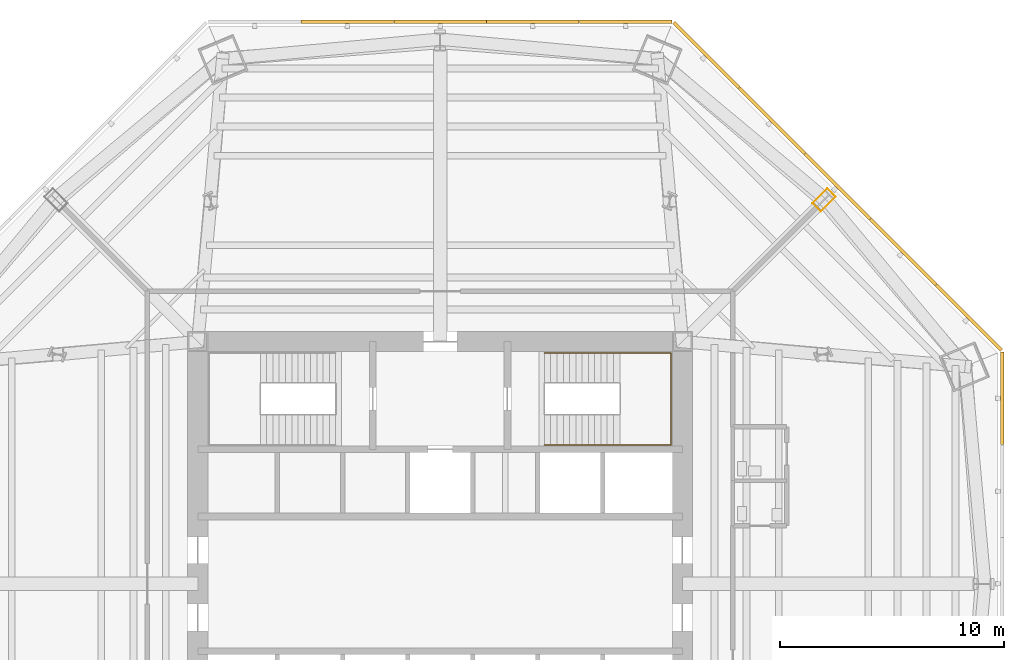
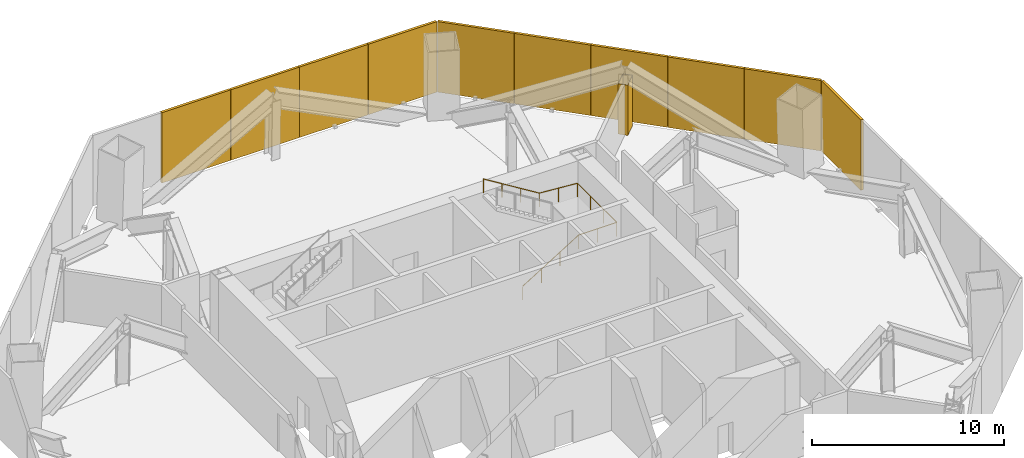
# One storey, part 8 of 9: 10 shading devices, 1 covering, 1 railing.
"""IFC4 building model written with IfcOpenShell, lengths in metres."""

from ifc_helpers import new_model, si_unit, direction, frame, origin, origin_2d, place, context, subcontext, project, spatial, polyline, rectangle, circle, outline, extrude, source, transform, mapped, material, layer, layer_set, type_object, type_shapes, element, save


model = new_model("IFC4")

# Units and contexts
model_context = context("Model", 3, precision=1e-05, world=origin(), true_north=direction((0.0, 1.0)))
body_context = subcontext(model_context, "Body", "Model", "MODEL_VIEW")
ifc_project = project(units=[si_unit("LENGTHUNIT", "METRE"), si_unit("AREAUNIT", "SQUARE_METRE"), si_unit("VOLUMEUNIT", "CUBIC_METRE"), si_unit("PLANEANGLEUNIT", "RADIAN"), si_unit("MASSUNIT", "GRAM", prefix="KILO")], contexts=[model_context])

# Site, building, storey
site_placement = place(None, origin())
site = spatial("IfcSite", under=ifc_project, at=site_placement, CompositionType="ELEMENT")
building_placement = place(site_placement, origin())
building = spatial("IfcBuilding", under=site, at=building_placement, Name="Mashrafa Tower", CompositionType="ELEMENT")
storey_placement = place(building_placement, frame((0.0, 0.0, 104.39990234375)))
storey = spatial("IfcBuildingStorey", under=building, at=storey_placement, Name="L23", CompositionType="ELEMENT", Elevation=104.39990234375)

# Covering
ifc_material_1 = material(Name="Gypsum board")
ifc_layer_1 = layer(ifc_material_1, 0.014892578125)
ifc_layer_set_1 = layer_set([ifc_layer_1], Name="Column casing plasterboard 15")
covering_type = type_object("IfcCoveringType", Name="Column casing plasterboard 15", PredefinedType="CLADDING", material=ifc_layer_set_1)
covering_placement = place(storey_placement, origin())
element("IfcCovering", 1, at=covering_placement, inside=storey, type_object=covering_type, Name="Column casing L23-001", PredefinedType="CLADDING", context=body_context, shape_type="SweptSolid", body=[
    extrude(outline(polyline([(16.598388671875, 16.97314453125), (17.26171875, 17.63623046875), (17.63623046875, 17.26171875), (16.97314453125, 16.598388671875), (16.598388671875, 16.97314453125)]), holes=[polyline([(17.614990234375, 17.26171875), (17.26171875, 17.614990234375), (16.61962890625, 16.97314453125), (16.97314453125, 16.61962890625), (17.614990234375, 17.26171875)])]), origin(), (0.0, 0.0, 1.0), 3.19873046875),
])

# Railing
ifc_material_2 = material(Name="Steel", Category="steel")
railing_type = type_object("IfcRailingType", Name="Stair handrail 900", PredefinedType="HANDRAIL", material=ifc_material_2)
railing_placement = place(storey_placement, frame((4.64990234375, 6.199951171875, 0.173095703125)))
element("IfcRailing", 2, at=railing_placement, inside=storey, type_object=railing_type, Name="Stair S2 handrail L23", PredefinedType="HANDRAIL", context=body_context, shape_type="SweptSolid", body=[
    extrude(circle(Radius=0.02392578125, at=origin_2d()), frame((0.0, 0.0, 0.8759765625), z_axis=(0.850623216509, 0.0, 0.525775754039), x_axis=(0.0, 1.0, 0.0)), (0.0, 0.0, 1.0), 3.9501953125),
    extrude(circle(Radius=0.02392578125, at=origin_2d()), frame((3.360107421875, 0.0, 2.95263671875), z_axis=(1.0, 0.0, 0.0), x_axis=(0.0, 1.0, 0.0)), (0.0, 0.0, 1.0), 2.2900390625),
    extrude(circle(Radius=0.02392578125, at=origin_2d()), frame((5.650146484375, 0.0, 2.95263671875), z_axis=(0.0, 1.0, 0.0), x_axis=(-1.0, 0.0, 0.0)), (0.0, 0.0, 1.0), 4.10009765625),
    extrude(circle(Radius=0.02392578125, at=origin_2d()), frame((5.650146484375, 4.10009765625, 2.95263671875), z_axis=(-0.99715553422, 0.0, 0.075371351147), x_axis=(0.0, -1.0, 0.0)), (0.0, 0.0, 1.0), 2.296630859375),
    extrude(circle(Radius=0.02392578125, at=origin_2d()), frame((3.360107421875, 4.10009765625, 3.1259765625), z_axis=(-0.850623216509, 0.0, 0.525775754039), x_axis=(0.0, -1.0, 0.0)), (0.0, 0.0, 1.0), 3.9501953125),
    extrude(circle(Radius=0.02099609375, at=origin_2d()), origin(), (0.0, 0.0, 1.0), 0.851806640625),
    extrude(circle(Radius=0.02099609375, at=origin_2d()), frame((1.1201171875, 0.0, 0.6923828125)), (0.0, 0.0, 1.0), 0.851806640625),
    extrude(circle(Radius=0.02099609375, at=origin_2d()), frame((2.239990234375, 0.0, 1.384521484375)), (0.0, 0.0, 1.0), 0.851806640625),
    extrude(circle(Radius=0.02099609375, at=origin_2d()), frame((3.360107421875, 0.0, 2.076904296875)), (0.0, 0.0, 1.0), 0.851806640625),
    extrude(circle(Radius=0.02099609375, at=origin_2d()), frame((4.505126953125, 0.0, 2.076904296875)), (0.0, 0.0, 1.0), 0.851806640625),
    extrude(circle(Radius=0.02099609375, at=origin_2d()), frame((5.650146484375, 0.0, 2.076904296875)), (0.0, 0.0, 1.0), 0.851806640625),
    extrude(circle(Radius=0.02099609375, at=origin_2d()), frame((5.650146484375, 1.36669921875, 2.076904296875)), (0.0, 0.0, 1.0), 0.851806640625),
    extrude(circle(Radius=0.02099609375, at=origin_2d()), frame((5.650146484375, 2.7333984375, 2.076904296875)), (0.0, 0.0, 1.0), 0.851806640625),
    extrude(circle(Radius=0.02099609375, at=origin_2d()), frame((5.650146484375, 4.10009765625, 2.076904296875)), (0.0, 0.0, 1.0), 0.851806640625),
    extrude(circle(Radius=0.02099609375, at=origin_2d()), frame((4.505126953125, 4.10009765625, 2.16357421875)), (0.0, 0.0, 1.0), 0.851806640625),
    extrude(circle(Radius=0.02099609375, at=origin_2d()), frame((3.360107421875, 4.10009765625, 2.25)), (0.0, 0.0, 1.0), 0.851806640625),
    extrude(circle(Radius=0.02099609375, at=origin_2d()), frame((2.239990234375, 4.10009765625, 2.9423828125)), (0.0, 0.0, 1.0), 0.851806640625),
    extrude(circle(Radius=0.02099609375, at=origin_2d()), frame((1.1201171875, 4.10009765625, 3.634521484375)), (0.0, 0.0, 1.0), 0.851806640625),
    extrude(circle(Radius=0.02099609375, at=origin_2d()), frame((0.0, 4.10009765625, 4.326904296875)), (0.0, 0.0, 1.0), 0.851806640625),
])

# Shading devices
ifc_material_3 = material(Name="Extruded aluminium weather louvre", Category="aluminium")
ifc_layer_2 = layer(ifc_material_3, 0.14990234375)
ifc_layer_set_2 = layer_set([ifc_layer_2], Name="Plant louvre screen 150")
shading_device_type = type_object("IfcShadingDeviceType", Name="Plant louvre screen 150", PredefinedType="SHUTTER", material=ifc_layer_set_2)
shared_shape = source(origin(), body_context, "Body", "SweptSolid", [
    extrude(rectangle(XDim=4.115966796875, YDim=0.14990234375, at=origin_2d()), origin(), (0.0, 0.0, 1.0), 4.47998046875),
])
type_shapes(shading_device_type, [shared_shape])
for number, where, z_axis, x_axis, name in (
    (3, (25.061279296875, 8.271728515625, 0.0), (0.0, 0.0, 1.0), (0.0, 1.0, 0.0), "Plant louvre screen L23 east 5"),
    (4, (23.570068359375, 11.8720703125, 0.0), (0.0, 0.0, 1.0), (-0.707106781187, 0.707106781187, 0.0), "Plant louvre screen L23 north-east 1"),
    (5, (20.6455078125, 14.796630859375, 0.0), (0.0, 0.0, 1.0), (-0.707106781187, 0.707106781187, 0.0), "Plant louvre screen L23 north-east 2"),
    (6, (17.72119140625, 17.72119140625, 0.0), (0.0, 0.0, 1.0), (-0.707106781187, 0.707106781187, 0.0), "Plant louvre screen L23 north-east 3"),
    (7, (14.796630859375, 20.6455078125, 0.0), (0.0, 0.0, 1.0), (-0.707106781187, 0.707106781187, 0.0), "Plant louvre screen L23 north-east 4"),
    (8, (11.8720703125, 23.570068359375, 0.0), (0.0, 0.0, 1.0), (-0.707106781187, 0.707106781187, 0.0), "Plant louvre screen L23 north-east 5"),
    (9, (8.271728515625, 25.061279296875, 0.0), (0.0, 0.0, 1.0), (-1.0, 0.0, 0.0), "Plant louvre screen L23 north 1"),
    (10, (4.135986328125, 25.061279296875, 0.0), (0.0, 0.0, 1.0), (-1.0, 0.0, 0.0), "Plant louvre screen L23 north 2"),
    (11, (0.0, 25.061279296875, 0.0), (0.0, 0.0, 1.0), (-1.0, 0.0, 0.0), "Plant louvre screen L23 north 3"),
    (12, (-4.135986328125, 25.061279296875, 0.0), (0.0, 0.0, 1.0), (-1.0, 0.0, 0.0), "Plant louvre screen L23 north 4"),
):
    element("IfcShadingDevice", number, at=place(storey_placement, frame(where, z_axis=z_axis, x_axis=x_axis)), inside=storey, type_object=shading_device_type, Name=name, PredefinedType="SHUTTER", context=body_context, shape_type="MappedRepresentation", body=[
        mapped(shared_shape, transform((0.0, 0.0, 0.0))),
    ])

save(model, "model.ifc")
